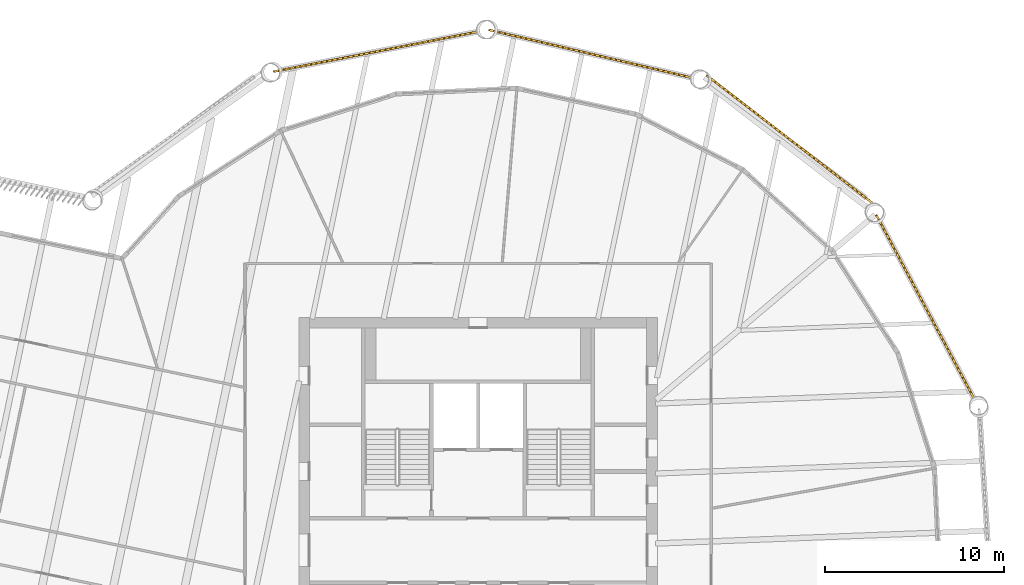
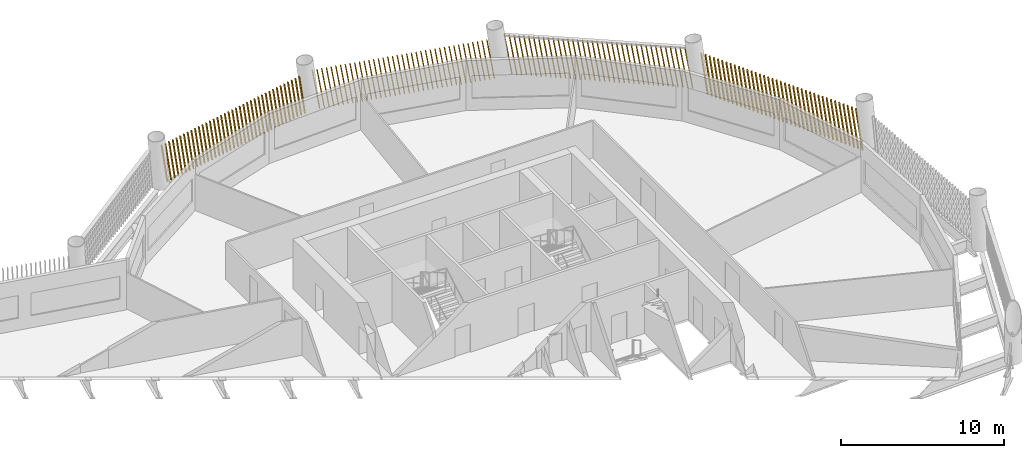
# One storey, part 13 of 14: 4 shading devices.
"""IFC4 building model written with IfcOpenShell, lengths in metres."""

import ifcopenshell
import ifcopenshell.guid

model = None  # the IFC model being written
_history = None  # IfcOwnerHistory: only IFC2X3 demands one
_inside = {}  # id of a spatial element -> (the spatial element, [elements in it])
_under = {}  # id of a project, library or spatial element -> (it, [spatial elements below it])
_declared = {}  # id of a project -> (the project, [libraries it declares])
_typed = {}  # id of a type object -> (the type object, [elements of that type])
_made_of = {}  # id of a material, layer set ... -> (it, [elements and type objects made of it])


def new_model(schema):
    """Start an empty IFC model of exactly this schema.

    Asked for "IFC4X3", IfcOpenShell would pick the latest addendum, in which some entities
    have other attributes; the version numbers below select the first issue.
    IFC2X3 requires an IfcOwnerHistory on every rooted entity: one is made here for all.
    """
    global model, _history
    if schema == "IFC4X3":
        model = ifcopenshell.file(schema_version=(4, 3, 0, 0))
    else:
        model = ifcopenshell.file(schema=schema)
    _inside.clear()
    _under.clear()
    _declared.clear()
    _typed.clear()
    _made_of.clear()
    _history = None
    if model.schema == "IFC2X3":
        org = make("IfcOrganization", Name="unknown")
        user = make(
            "IfcPersonAndOrganization",
            ThePerson=make("IfcPerson", FamilyName="unknown"),
            TheOrganization=org,
        )
        app = make(
            "IfcApplication",
            ApplicationDeveloper=org,
            Version="unknown",
            ApplicationFullName="unknown",
            ApplicationIdentifier="unknown",
        )
        _history = make(
            "IfcOwnerHistory",
            OwningUser=user,
            OwningApplication=app,
            ChangeAction="ADDED",
            CreationDate=0,
        )
    return model


def make(cls, **values):
    """One entity of the class cls with the attributes given. An attribute that is None is left unset."""
    return model.create_entity(
        cls, **{name: value for name, value in values.items() if value is not None}
    )


def rooted(cls, **values):
    """An entity with a GlobalId (a new one), such as an element, a storey or a relation."""
    return make(cls, GlobalId=ifcopenshell.guid.new(), OwnerHistory=_history, **values)


def si_unit(unit_type, name, prefix=None):
    """IfcSIUnit, for example si_unit("LENGTHUNIT", "METRE", prefix="MILLI")."""
    return make("IfcSIUnit", UnitType=unit_type, Prefix=prefix, Name=name)


def assignment(units):
    """IfcUnitAssignment: the units of a project."""
    return None if units is None else make("IfcUnitAssignment", Units=units)


def point(xyz):
    """IfcCartesianPoint."""
    return None if xyz is None else make("IfcCartesianPoint", Coordinates=xyz)


def direction(xyz):
    """IfcDirection."""
    return None if xyz is None else make("IfcDirection", DirectionRatios=xyz)


def frame(location, z_axis=None, x_axis=None):
    """IfcAxis2Placement3D, a coordinate frame: its origin and axes. An axis left out is left unset."""
    return make(
        "IfcAxis2Placement3D",
        Location=point(location),
        Axis=direction(z_axis),
        RefDirection=direction(x_axis),
    )


def frame_2d(location, x_axis=None):
    """IfcAxis2Placement2D, a coordinate frame in the plane: its origin and x axis."""
    return make(
        "IfcAxis2Placement2D", Location=point(location), RefDirection=direction(x_axis)
    )


def origin():
    """The frame at (0, 0, 0) with its axes left unset."""
    return frame((0.0, 0.0, 0.0))


def place(relative_to, where):
    """IfcLocalPlacement: puts the frame where relative to a parent placement (None: the world)."""
    return make(
        "IfcLocalPlacement", PlacementRelTo=relative_to, RelativePlacement=where
    )


def context(
    kind, dimensions, precision=None, world=None, true_north=None, identifier=None
):
    """IfcGeometricRepresentationContext, for example the 3D "Model" context."""
    return make(
        "IfcGeometricRepresentationContext",
        ContextIdentifier=identifier,
        ContextType=kind,
        CoordinateSpaceDimension=dimensions,
        Precision=precision,
        WorldCoordinateSystem=world,
        TrueNorth=true_north,
    )


def subcontext(parent, identifier, kind, view, scale=None):
    """IfcGeometricRepresentationSubContext, for example "Body" below "Model"."""
    return make(
        "IfcGeometricRepresentationSubContext",
        ContextIdentifier=identifier,
        ContextType=kind,
        ParentContext=parent,
        TargetScale=scale,
        TargetView=view,
    )


def project(units=None, contexts=None):
    """IfcProject with its units and contexts."""
    return rooted(
        "IfcProject",
        Name="project",
        RepresentationContexts=contexts,
        UnitsInContext=assignment(units),
    )


def spatial(cls, under=None, at=None, **own):
    """A site, building, storey or space (cls), placed at a placement, below another one or the project."""
    s = rooted(cls, ObjectPlacement=at, **own)
    if under is not None:
        _under.setdefault(under.id(), (under, []))[1].append(s)
    return s


def profile(cls, at=None, kind="AREA", **sizes):
    """A parametric profile (cls). Its sizes go by their IFC names, for example OverallWidth=200.0."""
    return make(cls, ProfileType=kind, Position=at, **sizes)


def rectangle(**sizes):
    """IfcRectangleProfileDef."""
    return profile("IfcRectangleProfileDef", **sizes)


def composite_profile(profiles, kind="AREA"):
    """IfcCompositeProfileDef: several profiles as one."""
    return make("IfcCompositeProfileDef", ProfileType=kind, Profiles=profiles)


def extrude(swept, where, along, depth):
    """IfcExtrudedAreaSolid: the profile swept, set in the frame where, extruded along a direction by depth."""
    return make(
        "IfcExtrudedAreaSolid",
        SweptArea=swept,
        Position=where,
        ExtrudedDirection=direction(along),
        Depth=depth,
    )


def shape(context_of_items, identifier, shape_type, items):
    """IfcShapeRepresentation: the items that make up one representation, for example the "Body"."""
    return make(
        "IfcShapeRepresentation",
        ContextOfItems=context_of_items,
        RepresentationIdentifier=identifier,
        RepresentationType=shape_type,
        Items=items,
    )


def material(Name=None, Category=None):
    """IfcMaterial."""
    return make("IfcMaterial", Name=Name, Category=Category)


def made_of(thing, what):
    """Note that an element or type object is made of a material, layer set ...; save() writes the relation."""
    if what is not None:
        _made_of.setdefault(what.id(), (what, []))[1].append(thing)
    return thing


def type_object(cls, material=None, **own):
    """A type object (cls), such as IfcWallType, which elements share."""
    return made_of(rooted(cls, **own), material)


def element(
    cls,
    number,
    at=None,
    inside=None,
    cuts=None,
    type_object=None,
    material=None,
    context=None,
    identifier="Body",
    shape_type=None,
    held_by="IfcProductDefinitionShape",
    body=None,
    shapes=None,
    **own,
):
    """One element of the class cls, such as IfcWall. Its Tag is "e" and its number.

    at: its placement. inside: the storey or other place that contains it. cuts: it is an
    opening in that element (IfcRelVoidsElement). A single representation is given by context,
    identifier, shape_type and body (its items); several are given by shapes. held_by: the class
    of the entity that holds the representations. save() writes the other relations.
    """
    e = rooted(cls, Tag="e%d" % number, ObjectPlacement=at, **own)
    if body is not None:
        shapes = [shape(context, identifier, shape_type, body)]
    if shapes is not None:
        e.Representation = make(held_by, Representations=shapes)
    if inside is not None:
        _inside.setdefault(inside.id(), (inside, []))[1].append(e)
    if cuts is not None:
        rooted(
            "IfcRelVoidsElement", RelatingBuildingElement=cuts, RelatedOpeningElement=e
        )
    if type_object is not None:
        _typed.setdefault(type_object.id(), (type_object, []))[1].append(e)
    return made_of(e, material)


def aggregate(whole, parts):
    """IfcRelAggregates: a whole, such as a stair, and the parts it consists of."""
    return rooted("IfcRelAggregates", RelatingObject=whole, RelatedObjects=parts)


def save(model, path):
    """Write the relations noted so far, then the file.

    IfcRelAggregates (storeys below a building ...), IfcRelContainedInSpatialStructure (elements
    in a storey), IfcRelDefinesByType, IfcRelAssociatesMaterial and IfcRelDeclares: one each for
    every whole, place, type object, material and project.
    """
    for whole, parts in _under.values():
        aggregate(whole, parts)
    for where, things in _inside.values():
        rooted(
            "IfcRelContainedInSpatialStructure",
            RelatedElements=things,
            RelatingStructure=where,
        )
    for kind, things in _typed.values():
        rooted("IfcRelDefinesByType", RelatedObjects=things, RelatingType=kind)
    for what, things in _made_of.values():
        rooted("IfcRelAssociatesMaterial", RelatedObjects=things, RelatingMaterial=what)
    for by, libraries in _declared.values():
        rooted("IfcRelDeclares", RelatingContext=by, RelatedDefinitions=libraries)
    model.write(path)


model = new_model("IFC4")

# Units and contexts
model_context = context("Model", 3, precision=1e-05, world=origin(), true_north=direction((0.0, 1.0)))
body_context = subcontext(model_context, "Body", "Model", "MODEL_VIEW")
ifc_project = project(units=[si_unit("LENGTHUNIT", "METRE"), si_unit("AREAUNIT", "SQUARE_METRE"), si_unit("VOLUMEUNIT", "CUBIC_METRE"), si_unit("PLANEANGLEUNIT", "RADIAN"), si_unit("MASSUNIT", "GRAM", prefix="KILO")], contexts=[model_context])

# Site, building, storey
site_placement = place(None, origin())
site = spatial("IfcSite", under=ifc_project, at=site_placement, CompositionType="ELEMENT")
building_placement = place(site_placement, origin())
building = spatial("IfcBuilding", under=site, at=building_placement, Name="Tarsis Ring Headquarters", CompositionType="ELEMENT")
storey_placement = place(building_placement, frame((0.0, 0.0, 235.5)))
storey = spatial("IfcBuildingStorey", under=building, at=storey_placement, Name="L55", CompositionType="ELEMENT", Elevation=235.5)

# Shading devices
ifc_material = material(Name="Terracotta baguette", Category="masonry")
shading_device_type = type_object("IfcShadingDeviceType", Name="Terracotta baguette screen", PredefinedType="USERDEFINED", material=ifc_material)
shading_device_1_placement = place(storey_placement, frame((27.7080078125, 8.378662109375, 0.0), z_axis=(0.0, 0.0, 1.0), x_axis=(-0.469897560552, 0.882715513499, 0.0)))
element("IfcShadingDevice", 1, at=shading_device_1_placement, inside=storey, type_object=shading_device_type, Name="Baguette screen L55-10", ObjectType="Terracotta baguette screen", PredefinedType="USERDEFINED", context=body_context, shape_type="SweptSolid", body=[
    extrude(composite_profile([rectangle(XDim=0.06005859375, YDim=0.1201171875, at=frame_2d((0.030029296875, 0.0))), rectangle(XDim=0.06005859375, YDim=0.1201171875, at=frame_2d((0.33251953125, 0.0))), rectangle(XDim=0.06005859375, YDim=0.1201171875, at=frame_2d((0.634765625, 0.0))), rectangle(XDim=0.06005859375, YDim=0.1201171875, at=frame_2d((0.937255859375, 0.0))), rectangle(XDim=0.06005859375, YDim=0.1201171875, at=frame_2d((1.239501953125, 0.0))), rectangle(XDim=0.06005859375, YDim=0.1201171875, at=frame_2d((1.5419921875, 0.0))), rectangle(XDim=0.06005859375, YDim=0.1201171875, at=frame_2d((1.844482421875, 0.0))), rectangle(XDim=0.06005859375, YDim=0.1201171875, at=frame_2d((2.146728515625, 0.0))), rectangle(XDim=0.06005859375, YDim=0.1201171875, at=frame_2d((2.44921875, 0.0))), rectangle(XDim=0.06005859375, YDim=0.1201171875, at=frame_2d((2.751708984375, 0.0))), rectangle(XDim=0.06005859375, YDim=0.1201171875, at=frame_2d((3.053955078125, 0.0))), rectangle(XDim=0.06005859375, YDim=0.1201171875, at=frame_2d((3.3564453125, 0.0))), rectangle(XDim=0.06005859375, YDim=0.1201171875, at=frame_2d((3.65869140625, 0.0))), rectangle(XDim=0.06005859375, YDim=0.1201171875, at=frame_2d((3.961181640625, 0.0))), rectangle(XDim=0.06005859375, YDim=0.1201171875, at=frame_2d((4.263671875, 0.0))), rectangle(XDim=0.06005859375, YDim=0.1201171875, at=frame_2d((4.56591796875, 0.0))), rectangle(XDim=0.06005859375, YDim=0.1201171875, at=frame_2d((4.868408203125, 0.0))), rectangle(XDim=0.06005859375, YDim=0.1201171875, at=frame_2d((5.1708984375, 0.0))), rectangle(XDim=0.06005859375, YDim=0.1201171875, at=frame_2d((5.47314453125, 0.0))), rectangle(XDim=0.06005859375, YDim=0.1201171875, at=frame_2d((5.775634765625, 0.0))), rectangle(XDim=0.06005859375, YDim=0.1201171875, at=frame_2d((6.077880859375, 0.0))), rectangle(XDim=0.06005859375, YDim=0.1201171875, at=frame_2d((6.38037109375, 0.0))), rectangle(XDim=0.06005859375, YDim=0.1201171875, at=frame_2d((6.682861328125, 0.0))), rectangle(XDim=0.06005859375, YDim=0.1201171875, at=frame_2d((6.985107421875, 0.0))), rectangle(XDim=0.06005859375, YDim=0.1201171875, at=frame_2d((7.28759765625, 0.0))), rectangle(XDim=0.06005859375, YDim=0.1201171875, at=frame_2d((7.590087890625, 0.0))), rectangle(XDim=0.06005859375, YDim=0.1201171875, at=frame_2d((7.892333984375, 0.0))), rectangle(XDim=0.06005859375, YDim=0.1201171875, at=frame_2d((8.19482421875, 0.0))), rectangle(XDim=0.06005859375, YDim=0.1201171875, at=frame_2d((8.4970703125, 0.0))), rectangle(XDim=0.06005859375, YDim=0.1201171875, at=frame_2d((8.799560546875, 0.0))), rectangle(XDim=0.06005859375, YDim=0.1201171875, at=frame_2d((9.10205078125, 0.0))), rectangle(XDim=0.06005859375, YDim=0.1201171875, at=frame_2d((9.404296875, 0.0))), rectangle(XDim=0.06005859375, YDim=0.1201171875, at=frame_2d((9.706787109375, 0.0))), rectangle(XDim=0.06005859375, YDim=0.1201171875, at=frame_2d((10.00927734375, 0.0))), rectangle(XDim=0.06005859375, YDim=0.1201171875, at=frame_2d((10.3115234375, 0.0))), rectangle(XDim=0.06005859375, YDim=0.1201171875, at=frame_2d((10.614013671875, 0.0))), rectangle(XDim=0.06005859375, YDim=0.1201171875, at=frame_2d((10.916259765625, 0.0))), rectangle(XDim=0.06005859375, YDim=0.1201171875, at=frame_2d((11.21875, 0.0)))]), origin(), (0.159215601342, 0.001336540353, 0.987242931577), 2.988037109375),
])
shading_device_2_placement = place(storey_placement, frame((22.02001953125, 19.351806640625, 0.0), z_axis=(0.0, 0.0, 1.0), x_axis=(-0.791991318502, 0.610548019533, 0.0)))
element("IfcShadingDevice", 2, at=shading_device_2_placement, inside=storey, type_object=shading_device_type, Name="Baguette screen L55-11", ObjectType="Terracotta baguette screen", PredefinedType="USERDEFINED", context=body_context, shape_type="SweptSolid", body=[
    extrude(composite_profile([rectangle(XDim=0.06005859375, YDim=0.1201171875, at=frame_2d((0.030029296875, 0.0))), rectangle(XDim=0.06005859375, YDim=0.1201171875, at=frame_2d((0.33251953125, 0.0))), rectangle(XDim=0.06005859375, YDim=0.1201171875, at=frame_2d((0.634765625, 0.0))), rectangle(XDim=0.06005859375, YDim=0.1201171875, at=frame_2d((0.937255859375, 0.0))), rectangle(XDim=0.06005859375, YDim=0.1201171875, at=frame_2d((1.239501953125, 0.0))), rectangle(XDim=0.06005859375, YDim=0.1201171875, at=frame_2d((1.5419921875, 0.0))), rectangle(XDim=0.06005859375, YDim=0.1201171875, at=frame_2d((1.844482421875, 0.0))), rectangle(XDim=0.06005859375, YDim=0.1201171875, at=frame_2d((2.146728515625, 0.0))), rectangle(XDim=0.06005859375, YDim=0.1201171875, at=frame_2d((2.44921875, 0.0))), rectangle(XDim=0.06005859375, YDim=0.1201171875, at=frame_2d((2.751708984375, 0.0))), rectangle(XDim=0.06005859375, YDim=0.1201171875, at=frame_2d((3.053955078125, 0.0))), rectangle(XDim=0.06005859375, YDim=0.1201171875, at=frame_2d((3.3564453125, 0.0))), rectangle(XDim=0.06005859375, YDim=0.1201171875, at=frame_2d((3.65869140625, 0.0))), rectangle(XDim=0.06005859375, YDim=0.1201171875, at=frame_2d((3.961181640625, 0.0))), rectangle(XDim=0.06005859375, YDim=0.1201171875, at=frame_2d((4.263671875, 0.0))), rectangle(XDim=0.06005859375, YDim=0.1201171875, at=frame_2d((4.56591796875, 0.0))), rectangle(XDim=0.06005859375, YDim=0.1201171875, at=frame_2d((4.868408203125, 0.0))), rectangle(XDim=0.06005859375, YDim=0.1201171875, at=frame_2d((5.1708984375, 0.0))), rectangle(XDim=0.06005859375, YDim=0.1201171875, at=frame_2d((5.47314453125, 0.0))), rectangle(XDim=0.06005859375, YDim=0.1201171875, at=frame_2d((5.775634765625, 0.0))), rectangle(XDim=0.06005859375, YDim=0.1201171875, at=frame_2d((6.077880859375, 0.0))), rectangle(XDim=0.06005859375, YDim=0.1201171875, at=frame_2d((6.38037109375, 0.0))), rectangle(XDim=0.06005859375, YDim=0.1201171875, at=frame_2d((6.682861328125, 0.0))), rectangle(XDim=0.06005859375, YDim=0.1201171875, at=frame_2d((6.985107421875, 0.0))), rectangle(XDim=0.06005859375, YDim=0.1201171875, at=frame_2d((7.28759765625, 0.0))), rectangle(XDim=0.06005859375, YDim=0.1201171875, at=frame_2d((7.590087890625, 0.0))), rectangle(XDim=0.06005859375, YDim=0.1201171875, at=frame_2d((7.892333984375, 0.0))), rectangle(XDim=0.06005859375, YDim=0.1201171875, at=frame_2d((8.19482421875, 0.0))), rectangle(XDim=0.06005859375, YDim=0.1201171875, at=frame_2d((8.4970703125, 0.0))), rectangle(XDim=0.06005859375, YDim=0.1201171875, at=frame_2d((8.799560546875, 0.0))), rectangle(XDim=0.06005859375, YDim=0.1201171875, at=frame_2d((9.10205078125, 0.0))), rectangle(XDim=0.06005859375, YDim=0.1201171875, at=frame_2d((9.404296875, 0.0))), rectangle(XDim=0.06005859375, YDim=0.1201171875, at=frame_2d((9.706787109375, 0.0))), rectangle(XDim=0.06005859375, YDim=0.1201171875, at=frame_2d((10.00927734375, 0.0))), rectangle(XDim=0.06005859375, YDim=0.1201171875, at=frame_2d((10.3115234375, 0.0))), rectangle(XDim=0.06005859375, YDim=0.1201171875, at=frame_2d((10.614013671875, 0.0))), rectangle(XDim=0.06005859375, YDim=0.1201171875, at=frame_2d((10.916259765625, 0.0))), rectangle(XDim=0.06005859375, YDim=0.1201171875, at=frame_2d((11.21875, 0.0)))]), origin(), (0.161266306364, 0.001351117432, 0.986910002439), 2.989013671875),
])
shading_device_3_placement = place(storey_placement, frame((11.999755859375, 26.343017578125, 0.0), z_axis=(0.0, 0.0, 1.0), x_axis=(-0.973239283776, 0.229820944113, 0.0)))
element("IfcShadingDevice", 3, at=shading_device_3_placement, inside=storey, type_object=shading_device_type, Name="Baguette screen L55-12", ObjectType="Terracotta baguette screen", PredefinedType="USERDEFINED", context=body_context, shape_type="SweptSolid", body=[
    extrude(composite_profile([rectangle(XDim=0.06005859375, YDim=0.1201171875, at=frame_2d((0.030029296875, 0.0))), rectangle(XDim=0.06005859375, YDim=0.1201171875, at=frame_2d((0.33251953125, 0.0))), rectangle(XDim=0.06005859375, YDim=0.1201171875, at=frame_2d((0.634765625, 0.0))), rectangle(XDim=0.06005859375, YDim=0.1201171875, at=frame_2d((0.937255859375, 0.0))), rectangle(XDim=0.06005859375, YDim=0.1201171875, at=frame_2d((1.239501953125, 0.0))), rectangle(XDim=0.06005859375, YDim=0.1201171875, at=frame_2d((1.5419921875, 0.0))), rectangle(XDim=0.06005859375, YDim=0.1201171875, at=frame_2d((1.844482421875, 0.0))), rectangle(XDim=0.06005859375, YDim=0.1201171875, at=frame_2d((2.146728515625, 0.0))), rectangle(XDim=0.06005859375, YDim=0.1201171875, at=frame_2d((2.44921875, 0.0))), rectangle(XDim=0.06005859375, YDim=0.1201171875, at=frame_2d((2.751708984375, 0.0))), rectangle(XDim=0.06005859375, YDim=0.1201171875, at=frame_2d((3.053955078125, 0.0))), rectangle(XDim=0.06005859375, YDim=0.1201171875, at=frame_2d((3.3564453125, 0.0))), rectangle(XDim=0.06005859375, YDim=0.1201171875, at=frame_2d((3.65869140625, 0.0))), rectangle(XDim=0.06005859375, YDim=0.1201171875, at=frame_2d((3.961181640625, 0.0))), rectangle(XDim=0.06005859375, YDim=0.1201171875, at=frame_2d((4.263671875, 0.0))), rectangle(XDim=0.06005859375, YDim=0.1201171875, at=frame_2d((4.56591796875, 0.0))), rectangle(XDim=0.06005859375, YDim=0.1201171875, at=frame_2d((4.868408203125, 0.0))), rectangle(XDim=0.06005859375, YDim=0.1201171875, at=frame_2d((5.1708984375, 0.0))), rectangle(XDim=0.06005859375, YDim=0.1201171875, at=frame_2d((5.47314453125, 0.0))), rectangle(XDim=0.06005859375, YDim=0.1201171875, at=frame_2d((5.775634765625, 0.0))), rectangle(XDim=0.06005859375, YDim=0.1201171875, at=frame_2d((6.077880859375, 0.0))), rectangle(XDim=0.06005859375, YDim=0.1201171875, at=frame_2d((6.38037109375, 0.0))), rectangle(XDim=0.06005859375, YDim=0.1201171875, at=frame_2d((6.682861328125, 0.0))), rectangle(XDim=0.06005859375, YDim=0.1201171875, at=frame_2d((6.985107421875, 0.0))), rectangle(XDim=0.06005859375, YDim=0.1201171875, at=frame_2d((7.28759765625, 0.0))), rectangle(XDim=0.06005859375, YDim=0.1201171875, at=frame_2d((7.590087890625, 0.0))), rectangle(XDim=0.06005859375, YDim=0.1201171875, at=frame_2d((7.892333984375, 0.0))), rectangle(XDim=0.06005859375, YDim=0.1201171875, at=frame_2d((8.19482421875, 0.0))), rectangle(XDim=0.06005859375, YDim=0.1201171875, at=frame_2d((8.4970703125, 0.0))), rectangle(XDim=0.06005859375, YDim=0.1201171875, at=frame_2d((8.799560546875, 0.0))), rectangle(XDim=0.06005859375, YDim=0.1201171875, at=frame_2d((9.10205078125, 0.0))), rectangle(XDim=0.06005859375, YDim=0.1201171875, at=frame_2d((9.404296875, 0.0))), rectangle(XDim=0.06005859375, YDim=0.1201171875, at=frame_2d((9.706787109375, 0.0))), rectangle(XDim=0.06005859375, YDim=0.1201171875, at=frame_2d((10.00927734375, 0.0))), rectangle(XDim=0.06005859375, YDim=0.1201171875, at=frame_2d((10.3115234375, 0.0))), rectangle(XDim=0.06005859375, YDim=0.1201171875, at=frame_2d((10.614013671875, 0.0))), rectangle(XDim=0.06005859375, YDim=0.1201171875, at=frame_2d((10.916259765625, 0.0))), rectangle(XDim=0.06005859375, YDim=0.1201171875, at=frame_2d((11.21875, 0.0)))]), origin(), (0.159217380484, 0.001334428891, 0.987242647504), 2.988037109375),
])
shading_device_4_placement = place(storey_placement, frame((0.074462890625, 28.947021484375, 0.0), z_axis=(0.0, 0.0, 1.0), x_axis=(-0.981443298969, -0.191774281063, 0.0)))
element("IfcShadingDevice", 4, at=shading_device_4_placement, inside=storey, type_object=shading_device_type, Name="Baguette screen L55-13", ObjectType="Terracotta baguette screen", PredefinedType="USERDEFINED", context=body_context, shape_type="SweptSolid", body=[
    extrude(composite_profile([rectangle(XDim=0.06005859375, YDim=0.1201171875, at=frame_2d((0.030029296875, 0.0))), rectangle(XDim=0.06005859375, YDim=0.1201171875, at=frame_2d((0.33251953125, 0.0))), rectangle(XDim=0.06005859375, YDim=0.1201171875, at=frame_2d((0.634765625, 0.0))), rectangle(XDim=0.06005859375, YDim=0.1201171875, at=frame_2d((0.937255859375, 0.0))), rectangle(XDim=0.06005859375, YDim=0.1201171875, at=frame_2d((1.239501953125, 0.0))), rectangle(XDim=0.06005859375, YDim=0.1201171875, at=frame_2d((1.5419921875, 0.0))), rectangle(XDim=0.06005859375, YDim=0.1201171875, at=frame_2d((1.844482421875, 0.0))), rectangle(XDim=0.06005859375, YDim=0.1201171875, at=frame_2d((2.146728515625, 0.0))), rectangle(XDim=0.06005859375, YDim=0.1201171875, at=frame_2d((2.44921875, 0.0))), rectangle(XDim=0.06005859375, YDim=0.1201171875, at=frame_2d((2.751708984375, 0.0))), rectangle(XDim=0.06005859375, YDim=0.1201171875, at=frame_2d((3.053955078125, 0.0))), rectangle(XDim=0.06005859375, YDim=0.1201171875, at=frame_2d((3.3564453125, 0.0))), rectangle(XDim=0.06005859375, YDim=0.1201171875, at=frame_2d((3.65869140625, 0.0))), rectangle(XDim=0.06005859375, YDim=0.1201171875, at=frame_2d((3.961181640625, 0.0))), rectangle(XDim=0.06005859375, YDim=0.1201171875, at=frame_2d((4.263671875, 0.0))), rectangle(XDim=0.06005859375, YDim=0.1201171875, at=frame_2d((4.56591796875, 0.0))), rectangle(XDim=0.06005859375, YDim=0.1201171875, at=frame_2d((4.868408203125, 0.0))), rectangle(XDim=0.06005859375, YDim=0.1201171875, at=frame_2d((5.1708984375, 0.0))), rectangle(XDim=0.06005859375, YDim=0.1201171875, at=frame_2d((5.47314453125, 0.0))), rectangle(XDim=0.06005859375, YDim=0.1201171875, at=frame_2d((5.775634765625, 0.0))), rectangle(XDim=0.06005859375, YDim=0.1201171875, at=frame_2d((6.077880859375, 0.0))), rectangle(XDim=0.06005859375, YDim=0.1201171875, at=frame_2d((6.38037109375, 0.0))), rectangle(XDim=0.06005859375, YDim=0.1201171875, at=frame_2d((6.682861328125, 0.0))), rectangle(XDim=0.06005859375, YDim=0.1201171875, at=frame_2d((6.985107421875, 0.0))), rectangle(XDim=0.06005859375, YDim=0.1201171875, at=frame_2d((7.28759765625, 0.0))), rectangle(XDim=0.06005859375, YDim=0.1201171875, at=frame_2d((7.590087890625, 0.0))), rectangle(XDim=0.06005859375, YDim=0.1201171875, at=frame_2d((7.892333984375, 0.0))), rectangle(XDim=0.06005859375, YDim=0.1201171875, at=frame_2d((8.19482421875, 0.0))), rectangle(XDim=0.06005859375, YDim=0.1201171875, at=frame_2d((8.4970703125, 0.0))), rectangle(XDim=0.06005859375, YDim=0.1201171875, at=frame_2d((8.799560546875, 0.0))), rectangle(XDim=0.06005859375, YDim=0.1201171875, at=frame_2d((9.10205078125, 0.0))), rectangle(XDim=0.06005859375, YDim=0.1201171875, at=frame_2d((9.404296875, 0.0))), rectangle(XDim=0.06005859375, YDim=0.1201171875, at=frame_2d((9.706787109375, 0.0))), rectangle(XDim=0.06005859375, YDim=0.1201171875, at=frame_2d((10.00927734375, 0.0))), rectangle(XDim=0.06005859375, YDim=0.1201171875, at=frame_2d((10.3115234375, 0.0))), rectangle(XDim=0.06005859375, YDim=0.1201171875, at=frame_2d((10.614013671875, 0.0))), rectangle(XDim=0.06005859375, YDim=0.1201171875, at=frame_2d((10.916259765625, 0.0))), rectangle(XDim=0.06005859375, YDim=0.1201171875, at=frame_2d((11.21875, 0.0)))]), origin(), (0.159216925207, 0.001333584716, 0.98724272207), 2.988037109375),
])

save(model, "model.ifc")
